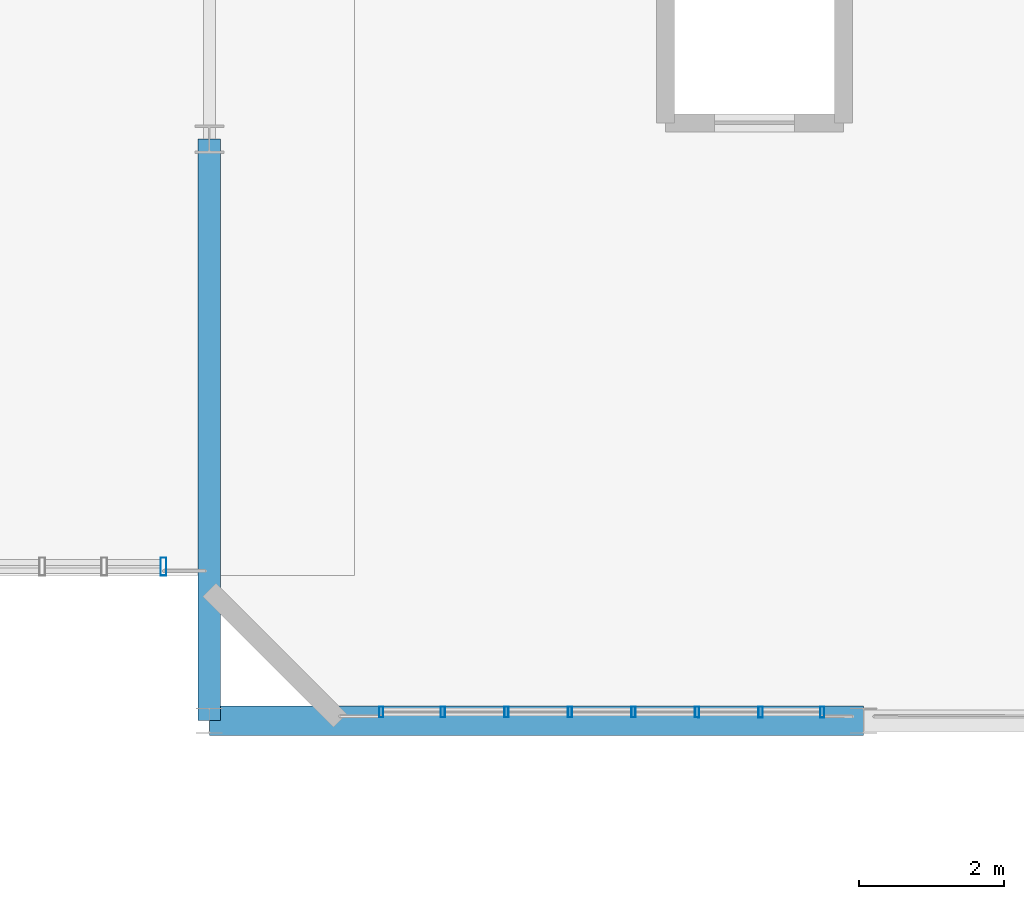
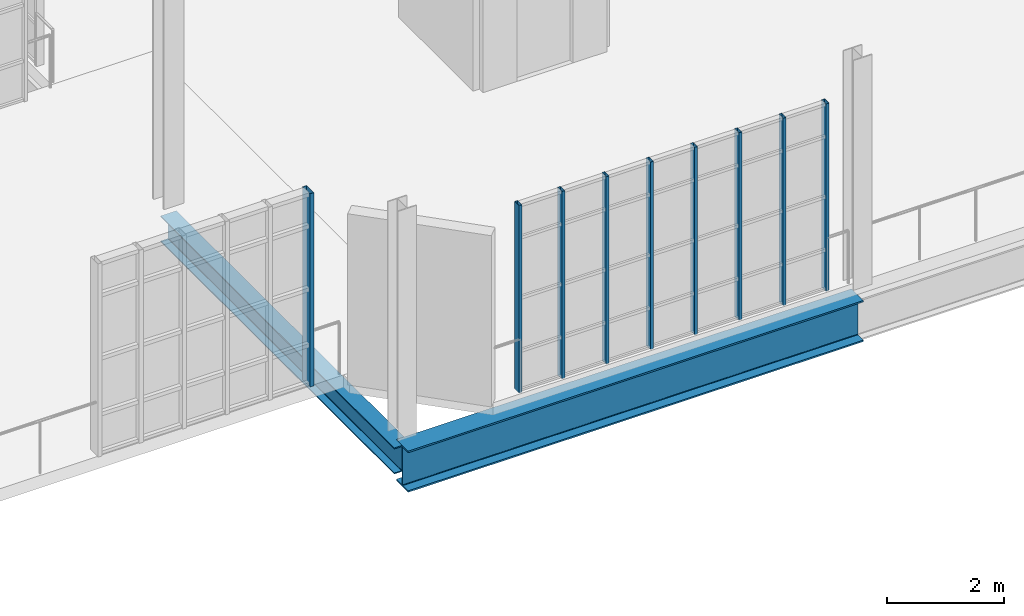
# One storey, part 18 of 122: 9 members, 2 beams, 2 elements without a shape of their own.
"""IFC4 building model written with IfcOpenShell, lengths in metres."""

from ifc_helpers import new_model, si_unit, direction, frame, origin, origin_2d, place, context, subcontext, project, spatial, hollow_rectangle, i_section, extrude, material, layer, layer_set, material_profile, profile_set, type_object, element, aggregate, save


model = new_model("IFC4")

# Units and contexts
model_context = context("Model", 3, precision=1e-05, world=origin(), true_north=direction((0.0, 1.0)))
body_context = subcontext(model_context, "Body", "Model", "MODEL_VIEW")
ifc_project = project(units=[si_unit("LENGTHUNIT", "METRE"), si_unit("AREAUNIT", "SQUARE_METRE"), si_unit("VOLUMEUNIT", "CUBIC_METRE"), si_unit("PLANEANGLEUNIT", "RADIAN"), si_unit("MASSUNIT", "GRAM", prefix="KILO"), si_unit("THERMODYNAMICTEMPERATUREUNIT", "KELVIN"), si_unit("POWERUNIT", "WATT")], contexts=[model_context])

# Site, building, storey
site_placement = place(None, origin())
site = spatial("IfcSite", under=ifc_project, at=site_placement, CompositionType="ELEMENT")
building_placement = place(site_placement, origin())
building = spatial("IfcBuilding", under=site, at=building_placement, Name="Zelmaris Science Centre", CompositionType="ELEMENT")
storey_placement = place(building_placement, frame((0.0, 0.0, 10.800048828125)))
storey = spatial("IfcBuildingStorey", under=building, at=storey_placement, Name="L02", CompositionType="ELEMENT", Elevation=10.800048828125)

# Curtain wall, members
ifc_material_1 = material(Name="Anodised architectural aluminium 6063-T6", Category="aluminium")
ifc_layer_1 = layer(ifc_material_1, 0.219970703125, Name="Anodised architectural aluminium 6063-T6")
ifc_layer_set_1 = layer_set([ifc_layer_1], Name="Anodised architectural aluminium 6063-T6")
curtain_wall_type_1 = type_object("IfcCurtainWallType", Name="Curtain Wall CW-04", PredefinedType="USERDEFINED", material=ifc_layer_set_1)
curtain_wall_1_placement = place(storey_placement, origin())
curtain_wall_1 = element("IfcCurtainWall", 1, at=curtain_wall_1_placement, inside=storey, type_object=curtain_wall_type_1, Name="L02 Unitised curtain wall 256", ObjectType="GLAZED CURTAIN WALL", PredefinedType="USERDEFINED")
ifc_material_profile_1 = material_profile(ifc_material_1, hollow_rectangle(XDim=0.06005859375, YDim=0.14990234375, WallThickness=0.00341796875, at=origin_2d()), Name="ALU-MUL-60X150")
ifc_profile_set_1 = profile_set([ifc_material_profile_1], Name="Anodised architectural aluminium 6063-T6")
member_type_1 = type_object("IfcMemberType", Name="ALU-MUL-60X150", PredefinedType="MULLION", material=ifc_profile_set_1)
member_1_placement = place(storey_placement, frame((62.43408203125, 64.118408203125, -0.01513671875), z_axis=(0.0, 0.0, 1.0), x_axis=(-0.999999970572, 0.000242600764, 0.0)))
member_1 = element("IfcMember", 2, at=member_1_placement, type_object=member_type_1, Name="CW-04 mullion 1", PredefinedType="MULLION", context=body_context, shape_type="SweptSolid", body=[
    extrude(hollow_rectangle(XDim=0.06005859375, YDim=0.14990234375, WallThickness=0.00341796875, at=origin_2d()), origin(), (0.0, 0.0, 1.0), 3.91796875),
])
member_2_placement = place(storey_placement, frame((61.585693359375, 64.11865234375, -0.01513671875), z_axis=(0.0, 0.0, 1.0), x_axis=(-0.999999970572, 0.000242600764, 0.0)))
member_2 = element("IfcMember", 3, at=member_2_placement, type_object=member_type_1, Name="CW-04 mullion 2", PredefinedType="MULLION", context=body_context, shape_type="SweptSolid", body=[
    extrude(hollow_rectangle(XDim=0.06005859375, YDim=0.14990234375, WallThickness=0.00341796875, at=origin_2d()), origin(), (0.0, 0.0, 1.0), 3.91796875),
])
member_3_placement = place(storey_placement, frame((60.71142578125, 64.118896484375, -0.01513671875), z_axis=(0.0, 0.0, 1.0), x_axis=(-0.999999970572, 0.000242600764, 0.0)))
member_3 = element("IfcMember", 4, at=member_3_placement, type_object=member_type_1, Name="CW-04 mullion 3", PredefinedType="MULLION", context=body_context, shape_type="SweptSolid", body=[
    extrude(hollow_rectangle(XDim=0.06005859375, YDim=0.14990234375, WallThickness=0.00341796875, at=origin_2d()), origin(), (0.0, 0.0, 1.0), 3.91796875),
])
member_4_placement = place(storey_placement, frame((59.837158203125, 64.119140625, -0.01513671875), z_axis=(0.0, 0.0, 1.0), x_axis=(-0.999999970572, 0.000242600764, 0.0)))
member_4 = element("IfcMember", 5, at=member_4_placement, type_object=member_type_1, Name="CW-04 mullion 4", PredefinedType="MULLION", context=body_context, shape_type="SweptSolid", body=[
    extrude(hollow_rectangle(XDim=0.06005859375, YDim=0.14990234375, WallThickness=0.00341796875, at=origin_2d()), origin(), (0.0, 0.0, 1.0), 3.91796875),
])
member_5_placement = place(storey_placement, frame((58.962890625, 64.119384765625, -0.01513671875), z_axis=(0.0, 0.0, 1.0), x_axis=(-0.999999970572, 0.000242600764, 0.0)))
member_5 = element("IfcMember", 6, at=member_5_placement, type_object=member_type_1, Name="CW-04 mullion 5", PredefinedType="MULLION", context=body_context, shape_type="SweptSolid", body=[
    extrude(hollow_rectangle(XDim=0.06005859375, YDim=0.14990234375, WallThickness=0.00341796875, at=origin_2d()), origin(), (0.0, 0.0, 1.0), 3.91796875),
])
member_6_placement = place(storey_placement, frame((58.088623046875, 64.119384765625, -0.01513671875), z_axis=(0.0, 0.0, 1.0), x_axis=(-0.999999970572, 0.000242600764, 0.0)))
member_6 = element("IfcMember", 7, at=member_6_placement, type_object=member_type_1, Name="CW-04 mullion 6", PredefinedType="MULLION", context=body_context, shape_type="SweptSolid", body=[
    extrude(hollow_rectangle(XDim=0.06005859375, YDim=0.14990234375, WallThickness=0.00341796875, at=origin_2d()), origin(), (0.0, 0.0, 1.0), 3.91796875),
])
member_7_placement = place(storey_placement, frame((57.21435546875, 64.11962890625, -0.01513671875), z_axis=(0.0, 0.0, 1.0), x_axis=(-0.999999970572, 0.000242600764, 0.0)))
member_7 = element("IfcMember", 8, at=member_7_placement, type_object=member_type_1, Name="CW-04 mullion 7", PredefinedType="MULLION", context=body_context, shape_type="SweptSolid", body=[
    extrude(hollow_rectangle(XDim=0.06005859375, YDim=0.14990234375, WallThickness=0.00341796875, at=origin_2d()), origin(), (0.0, 0.0, 1.0), 3.91796875),
])
member_8_placement = place(storey_placement, frame((56.365966796875, 64.119873046875, -0.01513671875), z_axis=(0.0, 0.0, 1.0), x_axis=(-0.999999970572, 0.000242600764, 0.0)))
member_8 = element("IfcMember", 9, at=member_8_placement, type_object=member_type_1, Name="CW-04 mullion 8", PredefinedType="MULLION", context=body_context, shape_type="SweptSolid", body=[
    extrude(hollow_rectangle(XDim=0.06005859375, YDim=0.14990234375, WallThickness=0.00341796875, at=origin_2d()), origin(), (0.0, 0.0, 1.0), 3.91796875),
])
aggregate(curtain_wall_1, [member_1, member_2, member_3, member_4, member_5, member_6, member_7, member_8])

# Curtain wall, member
ifc_layer_2 = layer(ifc_material_1, 0.18994140625, Name="Anodised architectural aluminium 6063-T6")
ifc_layer_set_2 = layer_set([ifc_layer_2], Name="Anodised architectural aluminium 6063-T6")
curtain_wall_type_2 = type_object("IfcCurtainWallType", Name="Curtain Wall CW-01", PredefinedType="USERDEFINED", material=ifc_layer_set_2)
curtain_wall_2_placement = place(storey_placement, origin())
curtain_wall_2 = element("IfcCurtainWall", 10, at=curtain_wall_2_placement, inside=storey, type_object=curtain_wall_type_2, Name="L02 Unitised curtain wall 257", ObjectType="GLAZED CURTAIN WALL", PredefinedType="USERDEFINED")
ifc_material_profile_2 = material_profile(ifc_material_1, hollow_rectangle(XDim=0.080078125, YDim=0.25, WallThickness=0.0048828125, at=origin_2d()), Name="ALU-MUL-80X250")
ifc_profile_set_2 = profile_set([ifc_material_profile_2], Name="Anodised architectural aluminium 6063-T6")
member_type_2 = type_object("IfcMemberType", Name="ALU-MUL-80X250", PredefinedType="MULLION", material=ifc_profile_set_2)
member_9_placement = place(storey_placement, frame((53.369873046875, 66.11962890625, -0.01513671875), z_axis=(0.0, 0.0, 1.0), x_axis=(-1.0, 0.0, 0.0)))
member_9 = element("IfcMember", 11, at=member_9_placement, type_object=member_type_2, Name="CW-01 mullion 1", PredefinedType="MULLION", context=body_context, shape_type="SweptSolid", body=[
    extrude(hollow_rectangle(XDim=0.080078125, YDim=0.25, WallThickness=0.0048828125, at=origin_2d()), origin(), (0.0, 0.0, 1.0), 4.03515625),
])
aggregate(curtain_wall_2, [member_9])

# Beams
ifc_material_2 = material(Name="Steel ASTM A992 Grade 50", Category="steel")
ifc_material_profile_3 = material_profile(ifc_material_2, i_section(OverallWidth=0.404052734375, OverallDepth=0.861083984375, WebThickness=0.019775390625, FlangeThickness=0.032470703125, FilletRadius=0.02001953125, at=origin_2d()), Name="W33X221")
ifc_profile_set_3 = profile_set([ifc_material_profile_3], Name="Steel ASTM A992 Grade 50")
beam_type_1 = type_object("IfcBeamType", Name="Beam G-28 W33X221", PredefinedType="BEAM", material=ifc_profile_set_3)
beam_1_placement = place(storey_placement, frame((54.0, 64.0, -0.6904296875), z_axis=(1.0, 0.0, 0.0), x_axis=(0.0, 1.0, 0.0)))
element("IfcBeam", 12, at=beam_1_placement, inside=storey, type_object=beam_type_1, Name="L02 East-west girder 575", PredefinedType="BEAM", context=body_context, shape_type="SweptSolid", body=[
    extrude(i_section(OverallWidth=0.404052734375, OverallDepth=0.861083984375, WebThickness=0.019775390625, FlangeThickness=0.032470703125, FilletRadius=0.02001953125, at=origin_2d()), origin(), (0.0, 0.0, 1.0), 9.0),
])
ifc_material_profile_4 = material_profile(ifc_material_2, i_section(OverallWidth=0.31201171875, OverallDepth=0.5458984375, WebThickness=0.013916015625, FlangeThickness=0.022216796875, FilletRadius=0.013916015625, at=origin_2d()), Name="W21X111")
ifc_profile_set_4 = profile_set([ifc_material_profile_4], Name="Steel ASTM A992 Grade 50")
beam_type_2 = type_object("IfcBeamType", Name="Beam G-39 W21X111", PredefinedType="BEAM", material=ifc_profile_set_4)
beam_2_placement = place(storey_placement, frame((54.0, 64.0, -0.532958984375), z_axis=(0.0, 1.0, 0.0), x_axis=(-1.0, 0.0, 0.0)))
element("IfcBeam", 13, at=beam_2_placement, inside=storey, type_object=beam_type_2, Name="L02 North-south girder 493", PredefinedType="BEAM", context=body_context, shape_type="SweptSolid", body=[
    extrude(i_section(OverallWidth=0.31201171875, OverallDepth=0.5458984375, WebThickness=0.013916015625, FlangeThickness=0.022216796875, FilletRadius=0.013916015625, at=origin_2d()), origin(), (0.0, 0.0, 1.0), 8.0),
])

save(model, "model.ifc")
